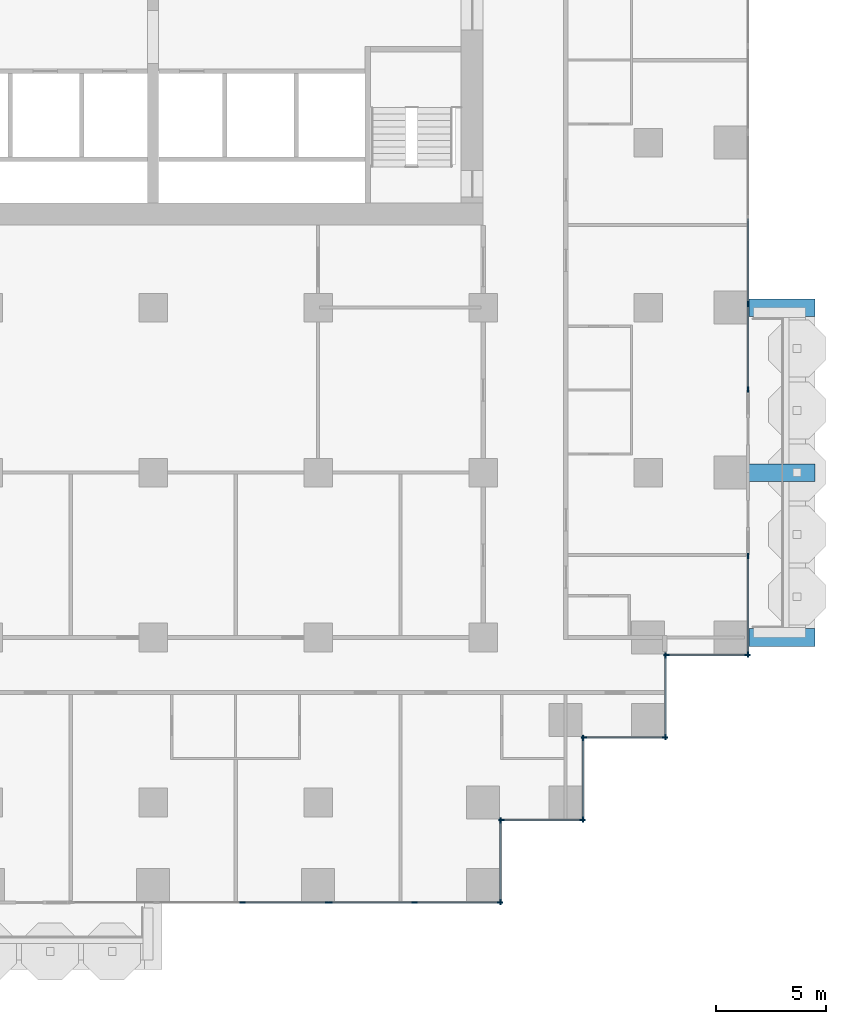
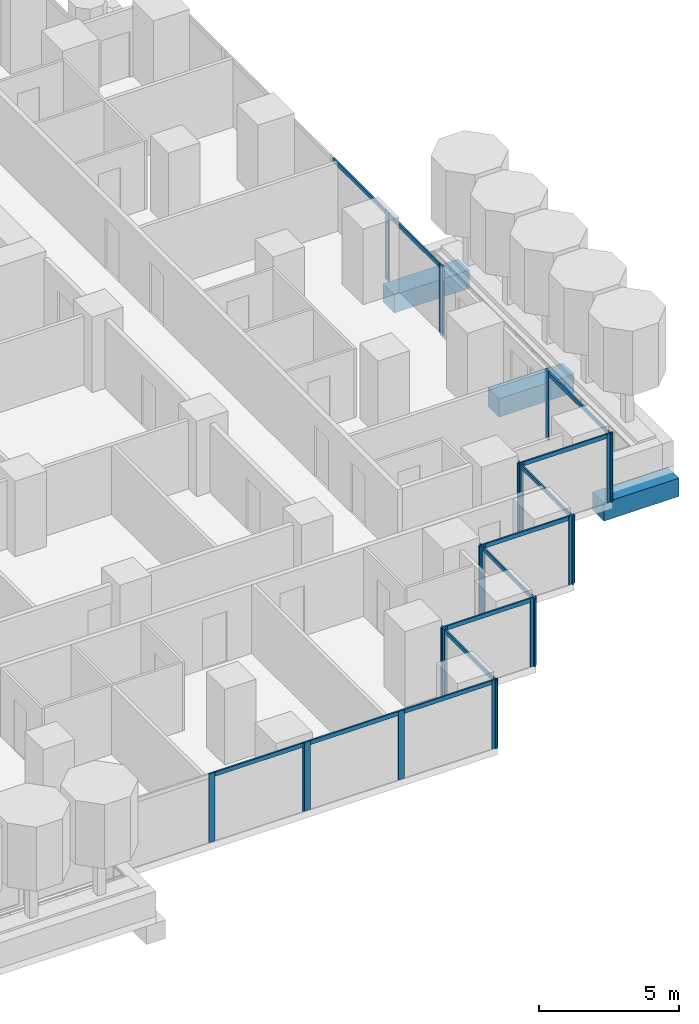
# One storey, part 4 of 18: 33 members, 3 beams, 10 elements without a shape of their own.
"""IFC4 building model written with IfcOpenShell, lengths in metres."""

from ifc_helpers import new_model, si_unit, direction, frame, origin, origin_2d, place, context, subcontext, project, spatial, rectangle, extrude, material, material_profile, profile_set, type_object, element, aggregate, save


model = new_model("IFC4")

# Units and contexts
model_context = context("Model", 3, precision=1e-05, world=origin(), true_north=direction((0.0, 1.0)))
body_context = subcontext(model_context, "Body", "Model", "MODEL_VIEW")
ifc_project = project(units=[si_unit("LENGTHUNIT", "METRE"), si_unit("AREAUNIT", "SQUARE_METRE"), si_unit("VOLUMEUNIT", "CUBIC_METRE"), si_unit("PLANEANGLEUNIT", "RADIAN"), si_unit("MASSUNIT", "GRAM", prefix="KILO")], contexts=[model_context])

# Site, building, storey
site_placement = place(None, origin())
site = spatial("IfcSite", under=ifc_project, at=site_placement, CompositionType="ELEMENT")
building_placement = place(site_placement, origin())
building = spatial("IfcBuilding", under=site, at=building_placement, Name="Pilkhan Gate Tower", CompositionType="ELEMENT")
storey_placement = place(building_placement, frame((0.0, 0.0, 75.800048828125)))
storey = spatial("IfcBuildingStorey", under=building, at=storey_placement, Name="L17", CompositionType="ELEMENT", Elevation=75.800048828125)

# Beams
ifc_material_1 = material(Name="Concrete C50/60", Category="concrete")
ifc_material_profile_1 = material_profile(ifc_material_1, rectangle(XDim=0.800048828125, YDim=0.800048828125, at=origin_2d()), Name="RC 800x800")
ifc_profile_set_1 = profile_set([ifc_material_profile_1], Name="Concrete C50/60")
beam_type = type_object("IfcBeamType", Name="Cantilever beam CB2 RC 800x800 C50/60", PredefinedType="BEAM", material=ifc_profile_set_1)
for number, where, z_axis, x_axis, name in (
    (1, (102.0, 52.5, -0.699951171875), (1.0, 0.0, 0.0), (0.0, 1.0, 0.0), "Balcony beam E.1 L17"),
    (2, (102.0, 60.0, -0.699951171875), (1.0, 0.0, 0.0), (0.0, 1.0, 0.0), "Balcony beam E.2 L17"),
    (3, (102.0, 67.5, -0.699951171875), (1.0, 0.0, 0.0), (0.0, 1.0, 0.0), "Balcony beam E.3 L17"),
):
    element("IfcBeam", number, at=place(storey_placement, frame(where, z_axis=z_axis, x_axis=x_axis)), inside=storey, type_object=beam_type, Name=name, PredefinedType="BEAM", context=body_context, shape_type="SweptSolid", body=[
        extrude(rectangle(XDim=0.800048828125, YDim=0.800048828125, at=origin_2d()), origin(), (0.0, 0.0, 1.0), 3.10009765625),
    ])

# Curtain wall, members
ifc_material_2 = material(Name="Pale anodised aluminium, clear low-iron double glazing", Category="aluminium")
curtain_wall_type = type_object("IfcCurtainWallType", Name="Hotel unitised curtain wall CW-H", PredefinedType="USERDEFINED", material=ifc_material_2)
curtain_wall_1_placement = place(storey_placement, origin())
curtain_wall_1 = element("IfcCurtainWall", 4, at=curtain_wall_1_placement, inside=storey, type_object=curtain_wall_type, Name="Hotel unitised curtain wall CW-H L17 E", ObjectType="UNITISED CURTAIN WALL", PredefinedType="USERDEFINED")
ifc_material_3 = material(Name="Pale anodised aluminium", Category="aluminium")
ifc_material_profile_2 = material_profile(ifc_material_3, rectangle(XDim=0.06494140625, YDim=0.25, at=origin_2d()), Name="Mullion 250x65")
ifc_profile_set_2 = profile_set([ifc_material_profile_2], Name="Pale anodised aluminium")
member_type_1 = type_object("IfcMemberType", Name="Mullion CW-H 250x65", PredefinedType="MULLION", material=ifc_profile_set_2)
member_1_placement = place(storey_placement, frame((102.044921875, 51.737548828125, 0.0), z_axis=(0.0, 0.0, 1.0), x_axis=(-1.0, 0.0, 0.0)))
member_1 = element("IfcMember", 5, at=member_1_placement, type_object=member_type_1, Name="CW-H mullion 1", PredefinedType="MULLION", context=body_context, shape_type="SweptSolid", body=[
    extrude(rectangle(XDim=0.06494140625, YDim=0.25, at=origin_2d()), origin(), (0.0, 0.0, 1.0), 3.0),
])
member_2_placement = place(storey_placement, frame((102.044921875, 56.217529296875, 0.0), z_axis=(0.0, 0.0, 1.0), x_axis=(-1.0, 0.0, 0.0)))
member_2 = element("IfcMember", 6, at=member_2_placement, type_object=member_type_1, Name="CW-H mullion 2", PredefinedType="MULLION", context=body_context, shape_type="SweptSolid", body=[
    extrude(rectangle(XDim=0.06494140625, YDim=0.25, at=origin_2d()), origin(), (0.0, 0.0, 1.0), 3.0),
])

curtain_wall_2_placement = place(storey_placement, origin())
curtain_wall_2 = element("IfcCurtainWall", 7, at=curtain_wall_2_placement, inside=storey, type_object=curtain_wall_type, Name="Hotel unitised curtain wall CW-H L17 E", ObjectType="UNITISED CURTAIN WALL", PredefinedType="USERDEFINED")
member_3_placement = place(storey_placement, frame((102.044921875, 63.782470703125, 0.0), z_axis=(0.0, 0.0, 1.0), x_axis=(-1.0, 0.0, 0.0)))
member_3 = element("IfcMember", 8, at=member_3_placement, type_object=member_type_1, Name="CW-H mullion 1", PredefinedType="MULLION", context=body_context, shape_type="SweptSolid", body=[
    extrude(rectangle(XDim=0.06494140625, YDim=0.25, at=origin_2d()), origin(), (0.0, 0.0, 1.0), 3.0),
])
member_4_placement = place(storey_placement, frame((102.044921875, 67.658935546875, 0.0), z_axis=(0.0, 0.0, 1.0), x_axis=(-1.0, 0.0, 0.0)))
member_4 = element("IfcMember", 9, at=member_4_placement, type_object=member_type_1, Name="CW-H mullion 2", PredefinedType="MULLION", context=body_context, shape_type="SweptSolid", body=[
    extrude(rectangle(XDim=0.06494140625, YDim=0.25, at=origin_2d()), origin(), (0.0, 0.0, 1.0), 3.0),
])

curtain_wall_3_placement = place(storey_placement, origin())
curtain_wall_3 = element("IfcCurtainWall", 10, at=curtain_wall_3_placement, inside=storey, type_object=curtain_wall_type, Name="Hotel unitised curtain wall CW-H L17 S", ObjectType="UNITISED CURTAIN WALL", PredefinedType="USERDEFINED")
member_5_placement = place(storey_placement, frame((79.068115234375, 40.455078125, 0.0), z_axis=(0.0, 0.0, 1.0), x_axis=(0.0, 1.0, 0.0)))
member_5 = element("IfcMember", 11, at=member_5_placement, type_object=member_type_1, Name="CW-H mullion 3", PredefinedType="MULLION", context=body_context, shape_type="SweptSolid", body=[
    extrude(rectangle(XDim=0.06494140625, YDim=0.25, at=origin_2d()), origin(), (0.0, 0.0, 1.0), 3.0),
])
member_6_placement = place(storey_placement, frame((82.944580078125, 40.455078125, 0.0), z_axis=(0.0, 0.0, 1.0), x_axis=(0.0, 1.0, 0.0)))
member_6 = element("IfcMember", 12, at=member_6_placement, type_object=member_type_1, Name="CW-H mullion 4", PredefinedType="MULLION", context=body_context, shape_type="SweptSolid", body=[
    extrude(rectangle(XDim=0.06494140625, YDim=0.25, at=origin_2d()), origin(), (0.0, 0.0, 1.0), 3.0),
])

curtain_wall_4_placement = place(storey_placement, origin())
curtain_wall_4 = element("IfcCurtainWall", 13, at=curtain_wall_4_placement, inside=storey, type_object=curtain_wall_type, Name="Hotel unitised curtain wall CW-H L17 S", ObjectType="UNITISED CURTAIN WALL", PredefinedType="USERDEFINED")
member_7_placement = place(storey_placement, frame((83.009521484375, 40.455078125, 0.0), z_axis=(0.0, 0.0, 1.0), x_axis=(0.0, 1.0, 0.0)))
member_7 = element("IfcMember", 14, at=member_7_placement, type_object=member_type_1, Name="CW-H mullion 1", PredefinedType="MULLION", context=body_context, shape_type="SweptSolid", body=[
    extrude(rectangle(XDim=0.06494140625, YDim=0.25, at=origin_2d()), origin(), (0.0, 0.0, 1.0), 3.0),
])
member_8_placement = place(storey_placement, frame((86.885986328125, 40.455078125, 0.0), z_axis=(0.0, 0.0, 1.0), x_axis=(0.0, 1.0, 0.0)))
member_8 = element("IfcMember", 15, at=member_8_placement, type_object=member_type_1, Name="CW-H mullion 2", PredefinedType="MULLION", context=body_context, shape_type="SweptSolid", body=[
    extrude(rectangle(XDim=0.06494140625, YDim=0.25, at=origin_2d()), origin(), (0.0, 0.0, 1.0), 3.0),
])
member_9_placement = place(storey_placement, frame((90.762451171875, 40.455078125, 0.0), z_axis=(0.0, 0.0, 1.0), x_axis=(0.0, 1.0, 0.0)))
member_9 = element("IfcMember", 16, at=member_9_placement, type_object=member_type_1, Name="CW-H mullion 3", PredefinedType="MULLION", context=body_context, shape_type="SweptSolid", body=[
    extrude(rectangle(XDim=0.06494140625, YDim=0.25, at=origin_2d()), origin(), (0.0, 0.0, 1.0), 3.0),
])

curtain_wall_5_placement = place(storey_placement, origin())
curtain_wall_5 = element("IfcCurtainWall", 17, at=curtain_wall_5_placement, inside=storey, type_object=curtain_wall_type, Name="Hotel unitised curtain wall CW-H L17 E", ObjectType="UNITISED CURTAIN WALL", PredefinedType="USERDEFINED")
member_10_placement = place(storey_placement, frame((90.794921875, 40.487548828125, 0.0), z_axis=(0.0, 0.0, 1.0), x_axis=(-1.0, 0.0, 0.0)))
member_10 = element("IfcMember", 18, at=member_10_placement, type_object=member_type_1, Name="CW-H mullion 1", PredefinedType="MULLION", context=body_context, shape_type="SweptSolid", body=[
    extrude(rectangle(XDim=0.06494140625, YDim=0.25, at=origin_2d()), origin(), (0.0, 0.0, 1.0), 3.0),
])
member_11_placement = place(storey_placement, frame((90.794921875, 44.172607421875, 0.0), z_axis=(0.0, 0.0, 1.0), x_axis=(-1.0, 0.0, 0.0)))
member_11 = element("IfcMember", 19, at=member_11_placement, type_object=member_type_1, Name="CW-H mullion 2", PredefinedType="MULLION", context=body_context, shape_type="SweptSolid", body=[
    extrude(rectangle(XDim=0.06494140625, YDim=0.25, at=origin_2d()), origin(), (0.0, 0.0, 1.0), 3.0),
])

curtain_wall_6_placement = place(storey_placement, origin())
curtain_wall_6 = element("IfcCurtainWall", 20, at=curtain_wall_6_placement, inside=storey, type_object=curtain_wall_type, Name="Hotel unitised curtain wall CW-H L17 S", ObjectType="UNITISED CURTAIN WALL", PredefinedType="USERDEFINED")
member_12_placement = place(storey_placement, frame((90.827392578125, 44.205078125, 0.0), z_axis=(0.0, 0.0, 1.0), x_axis=(0.0, 1.0, 0.0)))
member_12 = element("IfcMember", 21, at=member_12_placement, type_object=member_type_1, Name="CW-H mullion 1", PredefinedType="MULLION", context=body_context, shape_type="SweptSolid", body=[
    extrude(rectangle(XDim=0.06494140625, YDim=0.25, at=origin_2d()), origin(), (0.0, 0.0, 1.0), 3.0),
])
member_13_placement = place(storey_placement, frame((94.512451171875, 44.205078125, 0.0), z_axis=(0.0, 0.0, 1.0), x_axis=(0.0, 1.0, 0.0)))
member_13 = element("IfcMember", 22, at=member_13_placement, type_object=member_type_1, Name="CW-H mullion 2", PredefinedType="MULLION", context=body_context, shape_type="SweptSolid", body=[
    extrude(rectangle(XDim=0.06494140625, YDim=0.25, at=origin_2d()), origin(), (0.0, 0.0, 1.0), 3.0),
])

curtain_wall_7_placement = place(storey_placement, origin())
curtain_wall_7 = element("IfcCurtainWall", 23, at=curtain_wall_7_placement, inside=storey, type_object=curtain_wall_type, Name="Hotel unitised curtain wall CW-H L17 E", ObjectType="UNITISED CURTAIN WALL", PredefinedType="USERDEFINED")
member_14_placement = place(storey_placement, frame((94.544921875, 44.237548828125, 0.0), z_axis=(0.0, 0.0, 1.0), x_axis=(-1.0, 0.0, 0.0)))
member_14 = element("IfcMember", 24, at=member_14_placement, type_object=member_type_1, Name="CW-H mullion 1", PredefinedType="MULLION", context=body_context, shape_type="SweptSolid", body=[
    extrude(rectangle(XDim=0.06494140625, YDim=0.25, at=origin_2d()), origin(), (0.0, 0.0, 1.0), 3.0),
])
member_15_placement = place(storey_placement, frame((94.544921875, 47.922607421875, 0.0), z_axis=(0.0, 0.0, 1.0), x_axis=(-1.0, 0.0, 0.0)))
member_15 = element("IfcMember", 25, at=member_15_placement, type_object=member_type_1, Name="CW-H mullion 2", PredefinedType="MULLION", context=body_context, shape_type="SweptSolid", body=[
    extrude(rectangle(XDim=0.06494140625, YDim=0.25, at=origin_2d()), origin(), (0.0, 0.0, 1.0), 3.0),
])

curtain_wall_8_placement = place(storey_placement, origin())
curtain_wall_8 = element("IfcCurtainWall", 26, at=curtain_wall_8_placement, inside=storey, type_object=curtain_wall_type, Name="Hotel unitised curtain wall CW-H L17 S", ObjectType="UNITISED CURTAIN WALL", PredefinedType="USERDEFINED")
member_16_placement = place(storey_placement, frame((94.577392578125, 47.955078125, 0.0), z_axis=(0.0, 0.0, 1.0), x_axis=(0.0, 1.0, 0.0)))
member_16 = element("IfcMember", 27, at=member_16_placement, type_object=member_type_1, Name="CW-H mullion 1", PredefinedType="MULLION", context=body_context, shape_type="SweptSolid", body=[
    extrude(rectangle(XDim=0.06494140625, YDim=0.25, at=origin_2d()), origin(), (0.0, 0.0, 1.0), 3.0),
])
member_17_placement = place(storey_placement, frame((98.262451171875, 47.955078125, 0.0), z_axis=(0.0, 0.0, 1.0), x_axis=(0.0, 1.0, 0.0)))
member_17 = element("IfcMember", 28, at=member_17_placement, type_object=member_type_1, Name="CW-H mullion 2", PredefinedType="MULLION", context=body_context, shape_type="SweptSolid", body=[
    extrude(rectangle(XDim=0.06494140625, YDim=0.25, at=origin_2d()), origin(), (0.0, 0.0, 1.0), 3.0),
])

curtain_wall_9_placement = place(storey_placement, origin())
curtain_wall_9 = element("IfcCurtainWall", 29, at=curtain_wall_9_placement, inside=storey, type_object=curtain_wall_type, Name="Hotel unitised curtain wall CW-H L17 E", ObjectType="UNITISED CURTAIN WALL", PredefinedType="USERDEFINED")
member_18_placement = place(storey_placement, frame((98.294921875, 47.987548828125, 0.0), z_axis=(0.0, 0.0, 1.0), x_axis=(-1.0, 0.0, 0.0)))
member_18 = element("IfcMember", 30, at=member_18_placement, type_object=member_type_1, Name="CW-H mullion 1", PredefinedType="MULLION", context=body_context, shape_type="SweptSolid", body=[
    extrude(rectangle(XDim=0.06494140625, YDim=0.25, at=origin_2d()), origin(), (0.0, 0.0, 1.0), 3.0),
])
member_19_placement = place(storey_placement, frame((98.294921875, 51.672607421875, 0.0), z_axis=(0.0, 0.0, 1.0), x_axis=(-1.0, 0.0, 0.0)))
member_19 = element("IfcMember", 31, at=member_19_placement, type_object=member_type_1, Name="CW-H mullion 2", PredefinedType="MULLION", context=body_context, shape_type="SweptSolid", body=[
    extrude(rectangle(XDim=0.06494140625, YDim=0.25, at=origin_2d()), origin(), (0.0, 0.0, 1.0), 3.0),
])

curtain_wall_10_placement = place(storey_placement, origin())
curtain_wall_10 = element("IfcCurtainWall", 32, at=curtain_wall_10_placement, inside=storey, type_object=curtain_wall_type, Name="Hotel unitised curtain wall CW-H L17 S", ObjectType="UNITISED CURTAIN WALL", PredefinedType="USERDEFINED")
member_20_placement = place(storey_placement, frame((98.327392578125, 51.705078125, 0.0), z_axis=(0.0, 0.0, 1.0), x_axis=(0.0, 1.0, 0.0)))
member_20 = element("IfcMember", 33, at=member_20_placement, type_object=member_type_1, Name="CW-H mullion 1", PredefinedType="MULLION", context=body_context, shape_type="SweptSolid", body=[
    extrude(rectangle(XDim=0.06494140625, YDim=0.25, at=origin_2d()), origin(), (0.0, 0.0, 1.0), 3.0),
])
member_21_placement = place(storey_placement, frame((102.012451171875, 51.705078125, 0.0), z_axis=(0.0, 0.0, 1.0), x_axis=(0.0, 1.0, 0.0)))
member_21 = element("IfcMember", 34, at=member_21_placement, type_object=member_type_1, Name="CW-H mullion 2", PredefinedType="MULLION", context=body_context, shape_type="SweptSolid", body=[
    extrude(rectangle(XDim=0.06494140625, YDim=0.25, at=origin_2d()), origin(), (0.0, 0.0, 1.0), 3.0),
])

# Member
ifc_material_profile_3 = material_profile(ifc_material_3, rectangle(XDim=0.06494140625, YDim=0.179931640625, at=origin_2d()), Name="Transom 180x65")
ifc_profile_set_3 = profile_set([ifc_material_profile_3], Name="Pale anodised aluminium")
member_type_2 = type_object("IfcMemberType", Name="Transom CW-H 180x65", PredefinedType="USERDEFINED", material=ifc_profile_set_3)
member_22_placement = place(storey_placement, frame((102.044921875, 51.77001953125, 2.909912109375), z_axis=(0.0, 1.0, 0.0), x_axis=(-1.0, 0.0, 0.0)))
member_22 = element("IfcMember", 35, at=member_22_placement, type_object=member_type_2, Name="CW-H transom 1", ObjectType="TRANSOM", PredefinedType="USERDEFINED", context=body_context, shape_type="SweptSolid", body=[
    extrude(rectangle(XDim=0.06494140625, YDim=0.179931640625, at=origin_2d()), origin(), (0.0, 0.0, 1.0), 4.4150390625),
])

aggregate(curtain_wall_1, [member_1, member_2, member_22])

member_23_placement = place(storey_placement, frame((102.044921875, 63.81494140625, 2.909912109375), z_axis=(0.0, 1.0, 0.0), x_axis=(-1.0, 0.0, 0.0)))
member_23 = element("IfcMember", 36, at=member_23_placement, type_object=member_type_2, Name="CW-H transom 1", ObjectType="TRANSOM", PredefinedType="USERDEFINED", context=body_context, shape_type="SweptSolid", body=[
    extrude(rectangle(XDim=0.06494140625, YDim=0.179931640625, at=origin_2d()), origin(), (0.0, 0.0, 1.0), 3.8115234375),
])

member_24_placement = place(storey_placement, frame((102.044921875, 67.69140625, 2.909912109375), z_axis=(0.0, 1.0, 0.0), x_axis=(-1.0, 0.0, 0.0)))
member_24 = element("IfcMember", 37, at=member_24_placement, type_object=member_type_2, Name="CW-H transom 2", ObjectType="TRANSOM", PredefinedType="USERDEFINED", context=body_context, shape_type="SweptSolid", body=[
    extrude(rectangle(XDim=0.06494140625, YDim=0.179931640625, at=origin_2d()), origin(), (0.0, 0.0, 1.0), 3.843994140625),
])

aggregate(curtain_wall_2, [member_3, member_4, member_23, member_24])

member_25_placement = place(storey_placement, frame((79.1005859375, 40.455078125, 2.909912109375), z_axis=(1.0, 0.0, 0.0), x_axis=(0.0, 1.0, 0.0)))
member_25 = element("IfcMember", 38, at=member_25_placement, type_object=member_type_2, Name="CW-H transom 3", ObjectType="TRANSOM", PredefinedType="USERDEFINED", context=body_context, shape_type="SweptSolid", body=[
    extrude(rectangle(XDim=0.06494140625, YDim=0.179931640625, at=origin_2d()), origin(), (0.0, 0.0, 1.0), 3.8115234375),
])

aggregate(curtain_wall_3, [member_5, member_6, member_25])

member_26_placement = place(storey_placement, frame((83.0419921875, 40.455078125, 2.909912109375), z_axis=(1.0, 0.0, 0.0), x_axis=(0.0, 1.0, 0.0)))
member_26 = element("IfcMember", 39, at=member_26_placement, type_object=member_type_2, Name="CW-H transom 1", ObjectType="TRANSOM", PredefinedType="USERDEFINED", context=body_context, shape_type="SweptSolid", body=[
    extrude(rectangle(XDim=0.06494140625, YDim=0.179931640625, at=origin_2d()), origin(), (0.0, 0.0, 1.0), 3.8115234375),
])

member_27_placement = place(storey_placement, frame((86.91845703125, 40.455078125, 2.909912109375), z_axis=(1.0, 0.0, 0.0), x_axis=(0.0, 1.0, 0.0)))
member_27 = element("IfcMember", 40, at=member_27_placement, type_object=member_type_2, Name="CW-H transom 2", ObjectType="TRANSOM", PredefinedType="USERDEFINED", context=body_context, shape_type="SweptSolid", body=[
    extrude(rectangle(XDim=0.06494140625, YDim=0.179931640625, at=origin_2d()), origin(), (0.0, 0.0, 1.0), 3.8115234375),
])

aggregate(curtain_wall_4, [member_7, member_8, member_9, member_26, member_27])

member_28_placement = place(storey_placement, frame((90.794921875, 40.52001953125, 2.909912109375), z_axis=(0.0, 1.0, 0.0), x_axis=(-1.0, 0.0, 0.0)))
member_28 = element("IfcMember", 41, at=member_28_placement, type_object=member_type_2, Name="CW-H transom 1", ObjectType="TRANSOM", PredefinedType="USERDEFINED", context=body_context, shape_type="SweptSolid", body=[
    extrude(rectangle(XDim=0.06494140625, YDim=0.179931640625, at=origin_2d()), origin(), (0.0, 0.0, 1.0), 3.619873046875),
])

aggregate(curtain_wall_5, [member_10, member_11, member_28])

member_29_placement = place(storey_placement, frame((90.860107421875, 44.205078125, 2.909912109375), z_axis=(1.0, 0.0, 0.0), x_axis=(0.0, 1.0, 0.0)))
member_29 = element("IfcMember", 42, at=member_29_placement, type_object=member_type_2, Name="CW-H transom 1", ObjectType="TRANSOM", PredefinedType="USERDEFINED", context=body_context, shape_type="SweptSolid", body=[
    extrude(rectangle(XDim=0.06494140625, YDim=0.179931640625, at=origin_2d()), origin(), (0.0, 0.0, 1.0), 3.619873046875),
])

aggregate(curtain_wall_6, [member_12, member_13, member_29])

member_30_placement = place(storey_placement, frame((94.544921875, 44.27001953125, 2.909912109375), z_axis=(0.0, 1.0, 0.0), x_axis=(-1.0, 0.0, 0.0)))
member_30 = element("IfcMember", 43, at=member_30_placement, type_object=member_type_2, Name="CW-H transom 1", ObjectType="TRANSOM", PredefinedType="USERDEFINED", context=body_context, shape_type="SweptSolid", body=[
    extrude(rectangle(XDim=0.06494140625, YDim=0.179931640625, at=origin_2d()), origin(), (0.0, 0.0, 1.0), 3.619873046875),
])

aggregate(curtain_wall_7, [member_14, member_15, member_30])

member_31_placement = place(storey_placement, frame((94.610107421875, 47.955078125, 2.909912109375), z_axis=(1.0, 0.0, 0.0), x_axis=(0.0, 1.0, 0.0)))
member_31 = element("IfcMember", 44, at=member_31_placement, type_object=member_type_2, Name="CW-H transom 1", ObjectType="TRANSOM", PredefinedType="USERDEFINED", context=body_context, shape_type="SweptSolid", body=[
    extrude(rectangle(XDim=0.06494140625, YDim=0.179931640625, at=origin_2d()), origin(), (0.0, 0.0, 1.0), 3.619873046875),
])

aggregate(curtain_wall_8, [member_16, member_17, member_31])

member_32_placement = place(storey_placement, frame((98.294921875, 48.02001953125, 2.909912109375), z_axis=(0.0, 1.0, 0.0), x_axis=(-1.0, 0.0, 0.0)))
member_32 = element("IfcMember", 45, at=member_32_placement, type_object=member_type_2, Name="CW-H transom 1", ObjectType="TRANSOM", PredefinedType="USERDEFINED", context=body_context, shape_type="SweptSolid", body=[
    extrude(rectangle(XDim=0.06494140625, YDim=0.179931640625, at=origin_2d()), origin(), (0.0, 0.0, 1.0), 3.619873046875),
])

aggregate(curtain_wall_9, [member_18, member_19, member_32])

member_33_placement = place(storey_placement, frame((98.360107421875, 51.705078125, 2.909912109375), z_axis=(1.0, 0.0, 0.0), x_axis=(0.0, 1.0, 0.0)))
member_33 = element("IfcMember", 46, at=member_33_placement, type_object=member_type_2, Name="CW-H transom 1", ObjectType="TRANSOM", PredefinedType="USERDEFINED", context=body_context, shape_type="SweptSolid", body=[
    extrude(rectangle(XDim=0.06494140625, YDim=0.179931640625, at=origin_2d()), origin(), (0.0, 0.0, 1.0), 3.619873046875),
])

aggregate(curtain_wall_10, [member_20, member_21, member_33])

save(model, "model.ifc")
